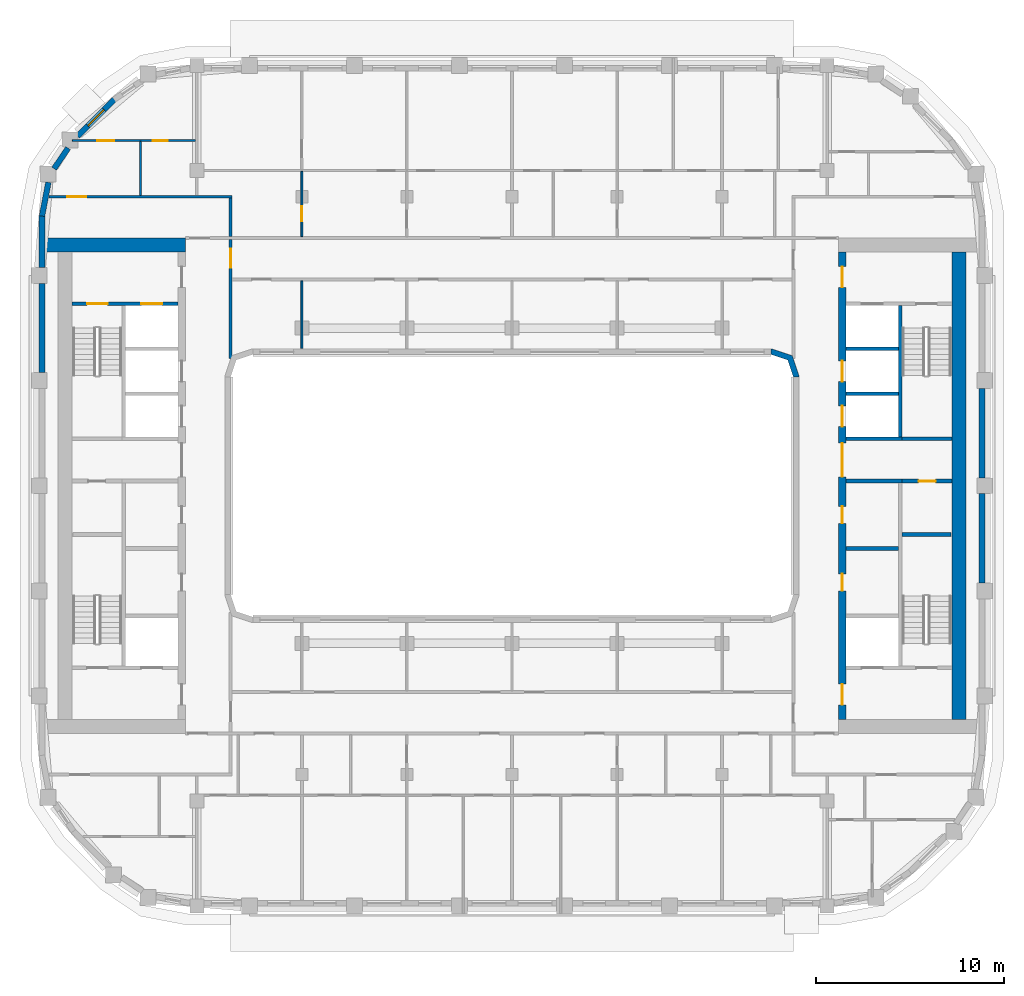
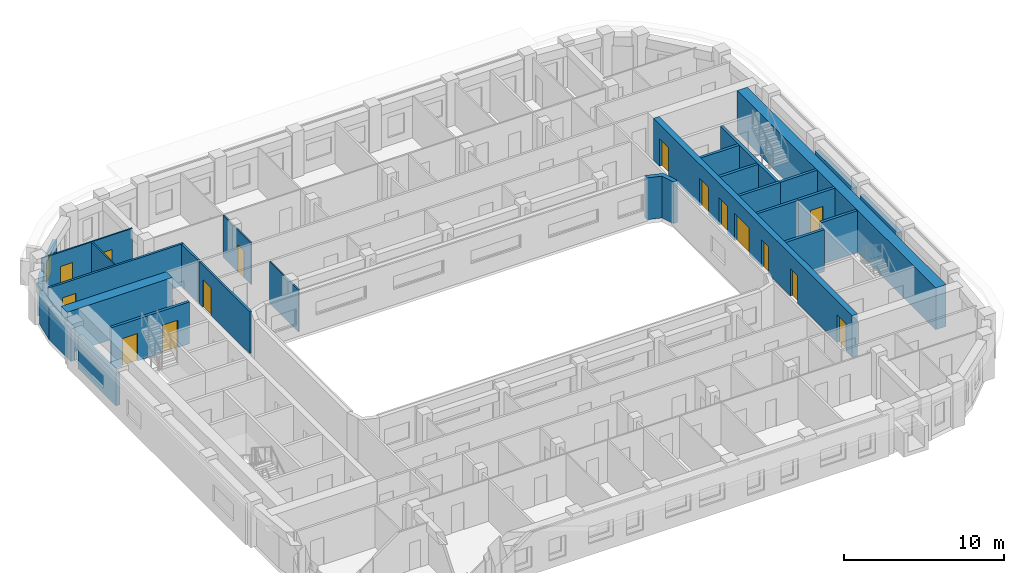
# One storey, part 6 of 21: 28 walls, 15 doors, 1 window, 16 openings.
"""IFC4 building model written with IfcOpenShell, lengths in metres."""

from ifc_helpers import new_model, si_unit, direction, frame, frame_2d, origin, place, context, subcontext, project, spatial, polyline, rectangle, outline, extrude, material, layer, layer_set, type_object, element, fill, save


model = new_model("IFC4")

# Units and contexts
model_context = context("Model", 3, precision=1e-05, world=origin(), true_north=direction((0.0, 1.0)))
body_context = subcontext(model_context, "Body", "Model", "MODEL_VIEW")
ifc_project = project(units=[si_unit("LENGTHUNIT", "METRE"), si_unit("AREAUNIT", "SQUARE_METRE"), si_unit("VOLUMEUNIT", "CUBIC_METRE"), si_unit("PLANEANGLEUNIT", "RADIAN"), si_unit("MASSUNIT", "GRAM", prefix="KILO")], contexts=[model_context])

# Site, building, storey
site_placement = place(None, origin())
site = spatial("IfcSite", under=ifc_project, at=site_placement, CompositionType="ELEMENT")
building_placement = place(site_placement, origin())
building = spatial("IfcBuilding", under=site, at=building_placement, Name="Kiln Ring Residences", CompositionType="ELEMENT")
storey_placement = place(building_placement, frame((0.0, 0.0, 216.89990234375)))
storey = spatial("IfcBuildingStorey", under=building, at=storey_placement, Name="L56", CompositionType="ELEMENT", Elevation=216.89990234375)

# Wall, opening, door
ifc_material_1 = material(Name="Gypsum board on steel studs", Category="steel")
ifc_layer_1 = layer(ifc_material_1, 0.199951171875)
ifc_layer_set_1 = layer_set([ifc_layer_1], Name="CORE-PARTITION-200")
wall_type_1 = type_object("IfcWallType", Name="CORE-PARTITION-200", PredefinedType="PARTITIONING", material=ifc_layer_set_1)
wall_1_placement = place(storey_placement, frame((20.800048828125, 0.25, 0.0), z_axis=(0.0, 0.0, 1.0), x_axis=(1.0, 0.0, 0.0)))
wall_1 = element("IfcWall", 1, at=wall_1_placement, inside=storey, type_object=wall_type_1, Name="Core partition east L56 1", PredefinedType="PARTITIONING", context=body_context, shape_type="SweptSolid", body=[
    extrude(rectangle(XDim=2.64990234375, YDim=0.199951171875, at=frame_2d((1.324951171875, 0.0))), origin(), (0.0, 0.0, 1.0), 3.2001953125),
])
opening_1_placement = place(wall_1_placement, frame((0.875, 0.0, 0.0)))
opening_1 = element("IfcOpeningElement", 2, at=opening_1_placement, cuts=wall_1, Name="Opening L56-CE12", PredefinedType="OPENING", context=body_context, shape_type="SweptSolid", body=[
    extrude(rectangle(XDim=0.89990234375, YDim=2.10009765625, at=frame_2d((0.449951171875, 1.050048828125))), frame((0.0, 0.10986328125, 0.0), z_axis=(0.0, -1.0, 0.0), x_axis=(1.0, 0.0, 0.0)), (0.0, 0.0, 1.0), 0.219970703125),
])
ifc_material_2 = material(Name="Steel door leaf", Category="steel")
door_type_1 = type_object("IfcDoorType", Name="CORE-DOOR-ROOM", OperationType="SINGLE_SWING_LEFT", PredefinedType="DOOR", material=ifc_material_2)
door_1_placement = place(opening_1_placement, origin())
door_1 = element("IfcDoor", 3, at=door_1_placement, inside=storey, type_object=door_type_1, Name="Cleaner's store L56-CE12", OperationType="SINGLE_SWING_LEFT", OverallHeight=2.10009765625, OverallWidth=0.89990234375, PredefinedType="DOOR", context=body_context, shape_type="SweptSolid", body=[
    extrude(rectangle(XDim=0.89990234375, YDim=2.10009765625, at=frame_2d((0.449951171875, 1.050048828125))), frame((0.0, 0.02490234375, 0.0), z_axis=(0.0, -1.0, 0.0), x_axis=(1.0, 0.0, 0.0)), (0.0, 0.0, 1.0), 0.050048828125),
])
fill(opening_1, door_1)

# Walls
wall_2_placement = place(storey_placement, frame((17.800048828125, -3.35009765625, 0.0), z_axis=(0.0, 0.0, 1.0), x_axis=(1.0, 0.0, 0.0)))
element("IfcWall", 4, at=wall_2_placement, inside=storey, type_object=wall_type_1, Name="Core partition east L56 2", PredefinedType="PARTITIONING", context=body_context, shape_type="SweptSolid", body=[
    extrude(rectangle(XDim=2.800048828125, YDim=0.199951171875, at=frame_2d((1.39990234375, 0.0))), origin(), (0.0, 0.0, 1.0), 3.2001953125),
])
ifc_material_3 = material(Name="Gypsum shaft wall system")
ifc_layer_2 = layer(ifc_material_3, 0.199951171875)
ifc_layer_set_2 = layer_set([ifc_layer_2], Name="CORE-SHAFT-WALL-200")
wall_type_2 = type_object("IfcWallType", Name="CORE-SHAFT-WALL-200", PredefinedType="PARTITIONING", material=ifc_layer_set_2)
for number, where, z_axis, x_axis, name in (
    (5, (17.800048828125, 0.25, 0.0), (0.0, 0.0, 1.0), (1.0, 0.0, 0.0), "Core partition east L56 4"),
    (6, (17.800048828125, 2.5, 0.0), (0.0, 0.0, 1.0), (1.0, 0.0, 0.0), "Core partition east L56 5"),
):
    element("IfcWall", number, at=place(storey_placement, frame(where, z_axis=z_axis, x_axis=x_axis)), inside=storey, type_object=wall_type_2, Name=name, PredefinedType="PARTITIONING", context=body_context, shape_type="SweptSolid", body=[
        extrude(rectangle(XDim=3.0, YDim=0.199951171875, at=frame_2d((1.5, 0.0))), origin(), (0.0, 0.0, 1.0), 3.2001953125),
    ])
for number, where, z_axis, x_axis, name in (
    (7, (17.800048828125, 4.89990234375, 0.0), (0.0, 0.0, 1.0), (1.0, 0.0, 0.0), "Core partition east L56 6"),
    (8, (17.800048828125, 7.300048828125, 0.0), (0.0, 0.0, 1.0), (1.0, 0.0, 0.0), "Core partition east L56 7"),
):
    element("IfcWall", number, at=place(storey_placement, frame(where, z_axis=z_axis, x_axis=x_axis)), inside=storey, type_object=wall_type_2, Name=name, PredefinedType="PARTITIONING", context=body_context, shape_type="SweptSolid", body=[
        extrude(rectangle(XDim=2.800048828125, YDim=0.199951171875, at=frame_2d((1.39990234375, 0.0))), origin(), (0.0, 0.0, 1.0), 3.2001953125),
    ])

# Wall, openings, doors
ifc_material_4 = material(Name="Concrete C40/50", Category="concrete")
ifc_layer_3 = layer(ifc_material_4, 0.199951171875)
ifc_layer_set_3 = layer_set([ifc_layer_3], Name="CORE-WALL-RC200")
wall_type_3 = type_object("IfcWallType", Name="CORE-WALL-RC200", PredefinedType="SHEAR", material=ifc_layer_set_3)
wall_3_placement = place(storey_placement, frame((-17.800048828125, 9.699951171875, 0.0), z_axis=(0.0, 0.0, 1.0), x_axis=(-1.0, 0.0, 0.0)))
wall_3 = element("IfcWall", 9, at=wall_3_placement, inside=storey, type_object=wall_type_3, Name="Core wall west L56 9", PredefinedType="SHEAR", context=body_context, shape_type="SweptSolid", body=[
    extrude(rectangle(XDim=5.64990234375, YDim=0.199951171875, at=frame_2d((2.824951171875, 0.0))), origin(), (0.0, 0.0, 1.0), 3.2001953125),
])
opening_2_placement = place(wall_3_placement, frame((0.85009765625, 0.0, 0.0)))
opening_2 = element("IfcOpeningElement", 10, at=opening_2_placement, cuts=wall_3, Name="Opening L56-CW06", PredefinedType="OPENING", context=body_context, shape_type="SweptSolid", body=[
    extrude(rectangle(XDim=1.10009765625, YDim=2.10009765625, at=frame_2d((0.550048828125, 1.050048828125))), frame((0.0, 0.10986328125, 0.0), z_axis=(0.0, -1.0, 0.0), x_axis=(1.0, 0.0, 0.0)), (0.0, 0.0, 1.0), 0.219970703125),
])
opening_3_placement = place(wall_3_placement, frame((3.75, 0.0, 0.0)))
opening_3 = element("IfcOpeningElement", 11, at=opening_3_placement, cuts=wall_3, Name="Opening L56-CW09", PredefinedType="OPENING", context=body_context, shape_type="SweptSolid", body=[
    extrude(rectangle(XDim=1.10009765625, YDim=2.10009765625, at=frame_2d((0.550048828125, 1.050048828125))), frame((0.0, 0.10986328125, 0.0), z_axis=(0.0, -1.0, 0.0), x_axis=(1.0, 0.0, 0.0)), (0.0, 0.0, 1.0), 0.219970703125),
])
ifc_material_5 = material(Name="Steel door leaf", Category="steel")
door_type_2 = type_object("IfcDoorType", Name="CORE-DOOR-LD", OperationType="DOUBLE_DOOR_SLIDING", PredefinedType="DOOR", material=ifc_material_5)
door_2_placement = place(opening_2_placement, origin())
door_2 = element("IfcDoor", 12, at=door_2_placement, inside=storey, type_object=door_type_2, Name="LD W-FF L56-CW06", OperationType="DOUBLE_DOOR_SLIDING", OverallHeight=2.10009765625, OverallWidth=1.10009765625, PredefinedType="DOOR", context=body_context, shape_type="SweptSolid", body=[
    extrude(rectangle(XDim=1.10009765625, YDim=2.10009765625, at=frame_2d((0.550048828125, 1.050048828125))), frame((0.0, 0.02490234375, 0.0), z_axis=(0.0, -1.0, 0.0), x_axis=(1.0, 0.0, 0.0)), (0.0, 0.0, 1.0), 0.050048828125),
])
fill(opening_2, door_2)
ifc_material_6 = material(Name="Steel door leaf", Category="steel")
door_type_3 = type_object("IfcDoorType", Name="CORE-DOOR-STAIR", OperationType="SINGLE_SWING_LEFT", PredefinedType="DOOR", material=ifc_material_6)
door_3_placement = place(opening_3_placement, origin())
door_3 = element("IfcDoor", 13, at=door_3_placement, inside=storey, type_object=door_type_3, Name="Stair W-STN L56-CW09", OperationType="SINGLE_SWING_LEFT", OverallHeight=2.10009765625, OverallWidth=1.10009765625, PredefinedType="DOOR", context=body_context, shape_type="SweptSolid", body=[
    extrude(rectangle(XDim=1.10009765625, YDim=2.10009765625, at=frame_2d((0.550048828125, 1.050048828125))), frame((0.0, 0.02490234375, 0.0), z_axis=(0.0, -1.0, 0.0), x_axis=(1.0, 0.0, 0.0)), (0.0, 0.0, 1.0), 0.050048828125),
])
fill(opening_3, door_3)

# Walls
wall_4_placement = place(storey_placement, frame((20.699951171875, 2.60009765625, 0.0), z_axis=(0.0, 0.0, 1.0), x_axis=(0.0, 1.0, 0.0)))
element("IfcWall", 14, at=wall_4_placement, inside=storey, type_object=wall_type_3, Name="Core wall east L56 1", PredefinedType="SHEAR", context=body_context, shape_type="SweptSolid", body=[
    extrude(rectangle(XDim=7.0, YDim=0.199951171875, at=frame_2d((3.5, 0.0))), origin(), (0.0, 0.0, 1.0), 3.2001953125),
])
wall_5_placement = place(storey_placement, frame((20.800048828125, 2.5, 0.0), z_axis=(0.0, 0.0, 1.0), x_axis=(1.0, 0.0, 0.0)))
element("IfcWall", 15, at=wall_5_placement, inside=storey, type_object=wall_type_3, Name="Core wall east L56 3", PredefinedType="SHEAR", context=body_context, shape_type="SweptSolid", body=[
    extrude(rectangle(XDim=2.64990234375, YDim=0.199951171875, at=frame_2d((1.324951171875, 0.0))), origin(), (0.0, 0.0, 1.0), 3.2001953125),
])
wall_6_placement = place(storey_placement, frame((20.800048828125, -2.60009765625, 0.0), z_axis=(0.0, 0.0, 1.0), x_axis=(1.0, 0.0, 0.0)))
element("IfcWall", 16, at=wall_6_placement, inside=storey, type_object=wall_type_3, Name="Core wall east L56 10", PredefinedType="SHEAR", context=body_context, shape_type="SweptSolid", body=[
    extrude(rectangle(XDim=2.599853515625, YDim=0.199951171875, at=frame_2d((1.2998046875, 0.0))), origin(), (0.0, 0.0, 1.0), 3.2001953125),
])

# Wall, openings, doors
ifc_material_7 = material(Name="Concrete C60/75", Category="concrete")
ifc_layer_4 = layer(ifc_material_7, 0.39990234375)
ifc_layer_set_4 = layer_set([ifc_layer_4], Name="CORE-WALL-RC400")
wall_type_4 = type_object("IfcWallType", Name="CORE-WALL-RC400", PredefinedType="SHEAR", material=ifc_layer_set_4)
wall_7_placement = place(storey_placement, frame((17.60009765625, -12.449951171875, 0.0), z_axis=(0.0, 0.0, 1.0), x_axis=(0.0, 1.0, 0.0)))
wall_7 = element("IfcWall", 17, at=wall_7_placement, inside=storey, type_object=wall_type_4, Name="Core wall east L56 6", PredefinedType="SHEAR", context=body_context, shape_type="SweptSolid", body=[
    extrude(rectangle(XDim=24.89990234375, YDim=0.39990234375, at=frame_2d((12.449951171875, 0.0))), origin(), (0.0, 0.0, 1.0), 3.2001953125),
])
opening_4_placement = place(wall_7_placement, frame((6.85009765625, 0.0, 0.0)))
opening_4 = element("IfcOpeningElement", 18, at=opening_4_placement, cuts=wall_7, Name="Opening L56-CE02", PredefinedType="OPENING", context=body_context, shape_type="SweptSolid", body=[
    extrude(rectangle(XDim=0.89990234375, YDim=2.10009765625, at=frame_2d((0.449951171875, 1.050048828125))), frame((0.0, 0.2099609375, 0.0), z_axis=(0.0, -1.0, 0.0), x_axis=(1.0, 0.0, 0.0)), (0.0, 0.0, 1.0), 0.419921875),
])
opening_5_placement = place(wall_7_placement, frame((10.449951171875, 0.0, 0.0)))
opening_5 = element("IfcOpeningElement", 19, at=opening_5_placement, cuts=wall_7, Name="Opening L56-CE03", PredefinedType="OPENING", context=body_context, shape_type="SweptSolid", body=[
    extrude(rectangle(XDim=0.89990234375, YDim=2.10009765625, at=frame_2d((0.449951171875, 1.050048828125))), frame((0.0, 0.2099609375, 0.0), z_axis=(0.0, -1.0, 0.0), x_axis=(1.0, 0.0, 0.0)), (0.0, 0.0, 1.0), 0.419921875),
])
opening_6_placement = place(wall_7_placement, frame((15.60009765625, 0.0, 0.0)))
opening_6 = element("IfcOpeningElement", 20, at=opening_6_placement, cuts=wall_7, Name="Opening L56-CE04", PredefinedType="OPENING", context=body_context, shape_type="SweptSolid", body=[
    extrude(rectangle(XDim=1.10009765625, YDim=2.10009765625, at=frame_2d((0.550048828125, 1.050048828125))), frame((0.0, 0.2099609375, 0.0), z_axis=(0.0, -1.0, 0.0), x_axis=(1.0, 0.0, 0.0)), (0.0, 0.0, 1.0), 0.419921875),
])
opening_7_placement = place(wall_7_placement, frame((18.0, 0.0, 0.0)))
opening_7 = element("IfcOpeningElement", 21, at=opening_7_placement, cuts=wall_7, Name="Opening L56-CE05", PredefinedType="OPENING", context=body_context, shape_type="SweptSolid", body=[
    extrude(rectangle(XDim=1.10009765625, YDim=2.10009765625, at=frame_2d((0.550048828125, 1.050048828125))), frame((0.0, 0.2099609375, 0.0), z_axis=(0.0, -1.0, 0.0), x_axis=(1.0, 0.0, 0.0)), (0.0, 0.0, 1.0), 0.419921875),
])
opening_8_placement = place(wall_7_placement, frame((23.02490234375, 0.0, 0.0)))
opening_8 = element("IfcOpeningElement", 22, at=opening_8_placement, cuts=wall_7, Name="Opening L56-CE07", PredefinedType="OPENING", context=body_context, shape_type="SweptSolid", body=[
    extrude(rectangle(XDim=1.10009765625, YDim=2.10009765625, at=frame_2d((0.550048828125, 1.050048828125))), frame((0.0, 0.2099609375, 0.0), z_axis=(0.0, -1.0, 0.0), x_axis=(1.0, 0.0, 0.0)), (0.0, 0.0, 1.0), 0.419921875),
])
opening_9_placement = place(wall_7_placement, frame((0.77490234375, 0.0, 0.0)))
opening_9 = element("IfcOpeningElement", 23, at=opening_9_placement, cuts=wall_7, Name="Opening L56-CE08", PredefinedType="OPENING", context=body_context, shape_type="SweptSolid", body=[
    extrude(rectangle(XDim=1.10009765625, YDim=2.10009765625, at=frame_2d((0.550048828125, 1.050048828125))), frame((0.0, 0.2099609375, 0.0), z_axis=(0.0, -1.0, 0.0), x_axis=(1.0, 0.0, 0.0)), (0.0, 0.0, 1.0), 0.419921875),
])
opening_10_placement = place(wall_7_placement, frame((12.925048828125, 0.0, 0.0)))
opening_10 = element("IfcOpeningElement", 24, at=opening_10_placement, cuts=wall_7, Name="Opening L56-CE11", PredefinedType="OPENING", context=body_context, shape_type="SweptSolid", body=[
    extrude(rectangle(XDim=1.800048828125, YDim=2.10009765625, at=frame_2d((0.89990234375, 1.050048828125))), frame((0.0, 0.2099609375, 0.0), z_axis=(0.0, -1.0, 0.0), x_axis=(1.0, 0.0, 0.0)), (0.0, 0.0, 1.0), 0.419921875),
])
door_4_placement = place(opening_6_placement, origin())
door_4 = element("IfcDoor", 25, at=door_4_placement, inside=storey, type_object=door_type_2, Name="LD E-M1 L56-CE04", OperationType="DOUBLE_DOOR_SLIDING", OverallHeight=2.10009765625, OverallWidth=1.10009765625, PredefinedType="DOOR", context=body_context, shape_type="SweptSolid", body=[
    extrude(rectangle(XDim=1.10009765625, YDim=2.10009765625, at=frame_2d((0.550048828125, 1.050048828125))), frame((0.0, 0.02490234375, 0.0), z_axis=(0.0, -1.0, 0.0), x_axis=(1.0, 0.0, 0.0)), (0.0, 0.0, 1.0), 0.050048828125),
])
fill(opening_6, door_4)
door_5_placement = place(opening_7_placement, origin())
door_5 = element("IfcDoor", 26, at=door_5_placement, inside=storey, type_object=door_type_2, Name="LD E-M2 L56-CE05", OperationType="DOUBLE_DOOR_SLIDING", OverallHeight=2.10009765625, OverallWidth=1.10009765625, PredefinedType="DOOR", context=body_context, shape_type="SweptSolid", body=[
    extrude(rectangle(XDim=1.10009765625, YDim=2.10009765625, at=frame_2d((0.550048828125, 1.050048828125))), frame((0.0, 0.02490234375, 0.0), z_axis=(0.0, -1.0, 0.0), x_axis=(1.0, 0.0, 0.0)), (0.0, 0.0, 1.0), 0.050048828125),
])
fill(opening_7, door_5)
ifc_material_8 = material(Name="Steel door leaf", Category="steel")
door_type_4 = type_object("IfcDoorType", Name="CORE-DOOR-LOBBY", OperationType="SINGLE_SWING_LEFT", PredefinedType="DOOR", material=ifc_material_8)
door_6_placement = place(opening_8_placement, origin())
door_6 = element("IfcDoor", 27, at=door_6_placement, inside=storey, type_object=door_type_4, Name="FFL L56-CE07", OperationType="SINGLE_SWING_LEFT", OverallHeight=2.10009765625, OverallWidth=1.10009765625, PredefinedType="DOOR", context=body_context, shape_type="SweptSolid", body=[
    extrude(rectangle(XDim=1.10009765625, YDim=2.10009765625, at=frame_2d((0.550048828125, 1.050048828125))), frame((0.0, 0.02490234375, 0.0), z_axis=(0.0, -1.0, 0.0), x_axis=(1.0, 0.0, 0.0)), (0.0, 0.0, 1.0), 0.050048828125),
])
fill(opening_8, door_6)
door_7_placement = place(opening_9_placement, origin())
door_7 = element("IfcDoor", 28, at=door_7_placement, inside=storey, type_object=door_type_4, Name="SVL L56-CE08", OperationType="SINGLE_SWING_RIGHT", OverallHeight=2.10009765625, OverallWidth=1.10009765625, PredefinedType="DOOR", context=body_context, shape_type="SweptSolid", body=[
    extrude(rectangle(XDim=1.10009765625, YDim=2.10009765625, at=frame_2d((0.550048828125, 1.050048828125))), frame((0.0, 0.02490234375, 0.0), z_axis=(0.0, -1.0, 0.0), x_axis=(1.0, 0.0, 0.0)), (0.0, 0.0, 1.0), 0.050048828125),
])
fill(opening_9, door_7)
ifc_material_9 = material(Name="Steel door leaf", Category="steel")
door_type_5 = type_object("IfcDoorType", Name="CORE-DOOR-PASS", OperationType="DOUBLE_DOOR_SINGLE_SWING", PredefinedType="DOOR", material=ifc_material_9)
door_8_placement = place(opening_10_placement, origin())
door_8 = element("IfcDoor", 29, at=door_8_placement, inside=storey, type_object=door_type_5, Name="Core passage L56-CE11", OperationType="DOUBLE_DOOR_SINGLE_SWING", OverallHeight=2.10009765625, OverallWidth=1.800048828125, PredefinedType="DOOR", context=body_context, shape_type="SweptSolid", body=[
    extrude(rectangle(XDim=1.800048828125, YDim=2.10009765625, at=frame_2d((0.89990234375, 1.050048828125))), frame((0.0, 0.02490234375, 0.0), z_axis=(0.0, -1.0, 0.0), x_axis=(1.0, 0.0, 0.0)), (0.0, 0.0, 1.0), 0.050048828125),
])
fill(opening_10, door_8)
door_9_placement = place(opening_4_placement, origin())
door_9 = element("IfcDoor", 30, at=door_9_placement, inside=storey, type_object=door_type_1, Name="Housekeeping store L56-CE02", OperationType="SINGLE_SWING_LEFT", OverallHeight=2.10009765625, OverallWidth=0.89990234375, PredefinedType="DOOR", context=body_context, shape_type="SweptSolid", body=[
    extrude(rectangle(XDim=0.89990234375, YDim=2.10009765625, at=frame_2d((0.449951171875, 1.050048828125))), frame((0.0, 0.02490234375, 0.0), z_axis=(0.0, -1.0, 0.0), x_axis=(1.0, 0.0, 0.0)), (0.0, 0.0, 1.0), 0.050048828125),
])
fill(opening_4, door_9)
door_10_placement = place(opening_5_placement, origin())
door_10 = element("IfcDoor", 31, at=door_10_placement, inside=storey, type_object=door_type_1, Name="Linen store L56-CE03", OperationType="SINGLE_SWING_RIGHT", OverallHeight=2.10009765625, OverallWidth=0.89990234375, PredefinedType="DOOR", context=body_context, shape_type="SweptSolid", body=[
    extrude(rectangle(XDim=0.89990234375, YDim=2.10009765625, at=frame_2d((0.449951171875, 1.050048828125))), frame((0.0, 0.02490234375, 0.0), z_axis=(0.0, -1.0, 0.0), x_axis=(1.0, 0.0, 0.0)), (0.0, 0.0, 1.0), 0.050048828125),
])
fill(opening_5, door_10)

# Walls
ifc_material_10 = material(Name="Concrete C60/75", Category="concrete")
ifc_layer_5 = layer(ifc_material_10, 0.75)
ifc_layer_set_5 = layer_set([ifc_layer_5], Name="CORE-WALL-RC750")
wall_type_5 = type_object("IfcWallType", Name="CORE-WALL-RC750", PredefinedType="SHEAR", material=ifc_layer_set_5)
wall_8_placement = place(storey_placement, frame((-17.39990234375, 12.824951171875, 0.0), z_axis=(0.0, 0.0, 1.0), x_axis=(-1.0, 0.0, 0.0)))
element("IfcWall", 32, at=wall_8_placement, inside=storey, type_object=wall_type_5, Name="Core wall west L56 4", PredefinedType="SHEAR", context=body_context, shape_type="SweptSolid", body=[
    extrude(rectangle(XDim=7.60009765625, YDim=0.75, at=frame_2d((3.800048828125, 0.0))), origin(), (0.0, 0.0, 1.0), 3.2001953125),
])
wall_9_placement = place(storey_placement, frame((23.824951171875, -12.449951171875, 0.0), z_axis=(0.0, 0.0, 1.0), x_axis=(0.0, 1.0, 0.0)))
element("IfcWall", 33, at=wall_9_placement, inside=storey, type_object=wall_type_5, Name="Core wall east L56 7", PredefinedType="SHEAR", context=body_context, shape_type="SweptSolid", body=[
    extrude(rectangle(XDim=24.89990234375, YDim=0.75, at=frame_2d((12.449951171875, 0.0))), origin(), (0.0, 0.0, 1.0), 3.2001953125),
])
ifc_material_11 = material(Name="Brick masonry, dark clay brick", Category="masonry")
ifc_layer_6 = layer(ifc_material_11, 0.300048828125)
ifc_layer_set_6 = layer_set([ifc_layer_6], Name="EW-300 BRICK WALL")
wall_type_6 = type_object("IfcWallType", Name="EW-300 BRICK WALL", PredefinedType="SOLIDWALL", material=ifc_layer_set_6)
for number, where, z_axis, x_axis, name in (
    (34, (25.050048828125, -5.175048828125, 0.0), (0.0, 0.0, 1.0), (0.0, 1.0, 0.0), "Facade wall L56 18"),
    (35, (25.050048828125, 0.425048828125, 0.0), (0.0, 0.0, 1.0), (0.0, 1.0, 0.0), "Facade wall L56 19"),
):
    element("IfcWall", number, at=place(storey_placement, frame(where, z_axis=z_axis, x_axis=x_axis)), inside=storey, type_object=wall_type_6, Name=name, PredefinedType="SOLIDWALL", context=body_context, shape_type="SweptSolid", body=[
        extrude(rectangle(XDim=4.75, YDim=0.300048828125, at=frame_2d((2.375, 0.0))), origin(), (0.0, 0.0, 1.0), 2.5),
    ])

# Wall, opening, window
wall_10_placement = place(storey_placement, frame((-21.19091796875, 20.596923828125, 0.0), z_axis=(0.0, 0.0, 1.0), x_axis=(-0.707150767798, -0.707062791838, 0.0)))
wall_10 = element("IfcWall", 36, at=wall_10_placement, inside=storey, type_object=wall_type_6, Name="Facade wall L56 36", PredefinedType="SOLIDWALL", context=body_context, shape_type="SweptSolid", body=[
    extrude(rectangle(XDim=2.775146484375, YDim=0.300048828125, at=frame_2d((1.3876953125, 0.0))), origin(), (0.0, 0.0, 1.0), 2.5),
])
opening_11_placement = place(wall_10_placement, frame((0.78759765625, 0.0, 0.60009765625)))
opening_11 = element("IfcOpeningElement", 37, at=opening_11_placement, cuts=wall_10, Name="Opening W1", PredefinedType="OPENING", context=body_context, shape_type="SweptSolid", body=[
    extrude(rectangle(XDim=1.199951171875, YDim=1.550048828125, at=frame_2d((0.60009765625, 0.77490234375))), frame((0.0, 0.159912109375, 0.0), z_axis=(0.0, -1.0, 0.0), x_axis=(1.0, 0.0, 0.0)), (0.0, 0.0, 1.0), 0.320068359375),
])
ifc_material_12 = material(Name="Aluminium frame with double glazing", Category="aluminium")
window_type = type_object("IfcWindowType", Name="WINDOW 1200 x 1550", PartitioningType="SINGLE_PANEL", PredefinedType="WINDOW", material=ifc_material_12)
window_placement = place(opening_11_placement, origin())
window = element("IfcWindow", 38, at=window_placement, inside=storey, type_object=window_type, Name="Window L56 33", OverallHeight=1.550048828125, OverallWidth=1.199951171875, PartitioningType="SINGLE_PANEL", PredefinedType="WINDOW", context=body_context, shape_type="SweptSolid", body=[
    extrude(rectangle(XDim=1.199951171875, YDim=1.550048828125, at=frame_2d((0.60009765625, 0.77490234375))), frame((0.0, 0.030029296875, 0.0), z_axis=(0.0, -1.0, 0.0), x_axis=(1.0, 0.0, 0.0)), (0.0, 0.0, 1.0), 0.06005859375),
])
fill(opening_11, window)

# Walls
wall_11_placement = place(storey_placement, frame((-23.662109375, 17.995849609375, 0.0), z_axis=(0.0, 0.0, 1.0), x_axis=(-0.562149004813, -0.827035970432, 0.0)))
element("IfcWall", 39, at=wall_11_placement, inside=storey, type_object=wall_type_6, Name="Facade wall L56 37", PredefinedType="SOLIDWALL", context=body_context, shape_type="SweptSolid", body=[
    extrude(rectangle(XDim=1.3271484375, YDim=0.300048828125, at=frame_2d((0.66357421875, 0.0))), origin(), (0.0, 0.0, 1.0), 2.5),
])
wall_12_placement = place(storey_placement, frame((-24.70947265625, 16.170654296875, 0.0), z_axis=(0.0, 0.0, 1.0), x_axis=(-0.187442908742, -0.982275499014, 0.0)))
element("IfcWall", 40, at=wall_12_placement, inside=storey, type_object=wall_type_6, Name="Facade wall L56 38", PredefinedType="SOLIDWALL", context=body_context, shape_type="SweptSolid", body=[
    extrude(rectangle(XDim=1.831298828125, YDim=0.300048828125, at=frame_2d((0.91552734375, 0.0))), origin(), (0.0, 0.0, 1.0), 2.5),
])
wall_13_placement = place(storey_placement, frame((-25.050048828125, 14.39990234375, 0.0), z_axis=(0.0, 0.0, 1.0), x_axis=(0.0, -1.0, 0.0)))
element("IfcWall", 41, at=wall_13_placement, inside=storey, type_object=wall_type_6, Name="Facade wall L56 39", PredefinedType="SOLIDWALL", context=body_context, shape_type="SweptSolid", body=[
    extrude(rectangle(XDim=2.77490234375, YDim=0.300048828125, at=frame_2d((1.387451171875, 0.0))), origin(), (0.0, 0.0, 1.0), 2.5),
])
wall_14_placement = place(storey_placement, frame((-25.050048828125, 10.77490234375, 0.0), z_axis=(0.0, 0.0, 1.0), x_axis=(0.0, -1.0, 0.0)))
element("IfcWall", 42, at=wall_14_placement, inside=storey, type_object=wall_type_6, Name="Facade wall L56 40", PredefinedType="SOLIDWALL", context=body_context, shape_type="SweptSolid", body=[
    extrude(rectangle(XDim=4.75, YDim=0.300048828125, at=frame_2d((2.375, 0.0))), origin(), (0.0, 0.0, 1.0), 2.5),
])
wall_15_placement = place(storey_placement, origin())
element("IfcWall", 43, at=wall_15_placement, inside=storey, type_object=wall_type_6, Name="Corner wall L56 2", PredefinedType="SOLIDWALL", context=body_context, shape_type="SweptSolid", body=[
    extrude(outline(polyline([(14.937255859375, 6.937255859375), (13.8486328125, 7.300048828125), (13.800048828125, 7.300048828125), (13.800048828125, 7.0), (14.699951171875, 6.699951171875), (15.0, 5.800048828125), (15.300048828125, 5.800048828125), (15.300048828125, 5.8486328125), (14.937255859375, 6.937255859375)])), origin(), (0.0, 0.0, 1.0), 3.2001953125),
])

# Wall, openings, doors
ifc_material_13 = material(Name="Gypsum board on steel studs", Category="steel")
ifc_layer_7 = layer(ifc_material_13, 0.10009765625)
ifc_layer_set_7 = layer_set([ifc_layer_7], Name="PARTITION-100")
wall_type_7 = type_object("IfcWallType", Name="PARTITION-100", PredefinedType="PARTITIONING", material=ifc_layer_set_7)
wall_16_placement = place(storey_placement, frame((-23.429931640625, 18.39990234375, 0.0), z_axis=(0.0, 0.0, 1.0), x_axis=(1.0, 0.0, 0.0)))
wall_16 = element("IfcWall", 44, at=wall_16_placement, inside=storey, type_object=wall_type_7, Name="Partition 013", PredefinedType="PARTITIONING", context=body_context, shape_type="SweptSolid", body=[
    extrude(rectangle(XDim=6.554931640625, YDim=0.10009765625, at=frame_2d((3.27734375, 0.0))), origin(), (0.0, 0.0, 1.0), 3.2001953125),
])
opening_12_placement = place(wall_16_placement, frame((4.280029296875, 0.0, 0.0)))
opening_12 = element("IfcOpeningElement", 45, at=opening_12_placement, cuts=wall_16, Name="Opening L56-D035", PredefinedType="OPENING", context=body_context, shape_type="SweptSolid", body=[
    extrude(rectangle(XDim=0.800048828125, YDim=2.10009765625, at=frame_2d((0.39990234375, 1.050048828125))), frame((0.0, 0.06005859375, 0.0), z_axis=(0.0, -1.0, 0.0), x_axis=(1.0, 0.0, 0.0)), (0.0, 0.0, 1.0), 0.1201171875),
])
opening_13_placement = place(wall_16_placement, frame((1.330078125, 0.0, 0.0)))
opening_13 = element("IfcOpeningElement", 46, at=opening_13_placement, cuts=wall_16, Name="Opening L56-D036", PredefinedType="OPENING", context=body_context, shape_type="SweptSolid", body=[
    extrude(rectangle(XDim=0.89990234375, YDim=2.10009765625, at=frame_2d((0.449951171875, 1.050048828125))), frame((0.0, 0.06005859375, 0.0), z_axis=(0.0, -1.0, 0.0), x_axis=(1.0, 0.0, 0.0)), (0.0, 0.0, 1.0), 0.1201171875),
])
ifc_material_14 = material(Name="Timber door leaf", Category="wood")
door_type_6 = type_object("IfcDoorType", Name="FLAT-DOOR-800-PL", OperationType="SINGLE_SWING_LEFT", PredefinedType="DOOR", material=ifc_material_14)
door_11_placement = place(opening_12_placement, origin())
door_11 = element("IfcDoor", 47, at=door_11_placement, inside=storey, type_object=door_type_6, Name="Door L56-D035", OperationType="SINGLE_SWING_LEFT", OverallHeight=2.10009765625, OverallWidth=0.800048828125, PredefinedType="DOOR", context=body_context, shape_type="SweptSolid", body=[
    extrude(rectangle(XDim=0.800048828125, YDim=2.10009765625, at=frame_2d((0.39990234375, 1.050048828125))), frame((0.0, 0.02490234375, 0.0), z_axis=(0.0, -1.0, 0.0), x_axis=(1.0, 0.0, 0.0)), (0.0, 0.0, 1.0), 0.050048828125),
])
fill(opening_12, door_11)
ifc_material_15 = material(Name="Timber door leaf", Category="wood")
door_type_7 = type_object("IfcDoorType", Name="FLAT-DOOR-900-PL", OperationType="SINGLE_SWING_LEFT", PredefinedType="DOOR", material=ifc_material_15)
door_12_placement = place(opening_13_placement, origin())
door_12 = element("IfcDoor", 48, at=door_12_placement, inside=storey, type_object=door_type_7, Name="Door L56-D036", OperationType="SINGLE_SWING_RIGHT", OverallHeight=2.10009765625, OverallWidth=0.89990234375, PredefinedType="DOOR", context=body_context, shape_type="SweptSolid", body=[
    extrude(rectangle(XDim=0.89990234375, YDim=2.10009765625, at=frame_2d((0.449951171875, 1.050048828125))), frame((0.0, 0.02490234375, 0.0), z_axis=(0.0, -1.0, 0.0), x_axis=(1.0, 0.0, 0.0)), (0.0, 0.0, 1.0), 0.050048828125),
])
fill(opening_13, door_12)

# Walls
wall_17_placement = place(storey_placement, frame((-19.800048828125, 15.47509765625, 0.0), z_axis=(0.0, 0.0, 1.0), x_axis=(0.0, 1.0, 0.0)))
element("IfcWall", 49, at=wall_17_placement, inside=storey, type_object=wall_type_7, Name="Partition 014", PredefinedType="PARTITIONING", context=body_context, shape_type="SweptSolid", body=[
    extrude(rectangle(XDim=2.875, YDim=0.10009765625, at=frame_2d((1.4375, 0.0))), origin(), (0.0, 0.0, 1.0), 3.2001953125),
])
wall_18_placement = place(storey_placement, frame((-11.199951171875, 7.320068359375, 0.0), z_axis=(0.0, 0.0, 1.0), x_axis=(0.0, 1.0, 0.0)))
element("IfcWall", 50, at=wall_18_placement, inside=storey, type_object=wall_type_7, Name="Partition 024", PredefinedType="PARTITIONING", context=body_context, shape_type="SweptSolid", body=[
    extrude(rectangle(XDim=3.60498046875, YDim=0.10009765625, at=frame_2d((1.802490234375, 0.0))), origin(), (0.0, 0.0, 1.0), 3.2001953125),
])

# Wall, opening, door
wall_19_placement = place(storey_placement, frame((-11.199951171875, 13.27490234375, 0.0), z_axis=(0.0, 0.0, 1.0), x_axis=(0.0, 1.0, 0.0)))
wall_19 = element("IfcWall", 51, at=wall_19_placement, inside=storey, type_object=wall_type_7, Name="Partition 025", PredefinedType="PARTITIONING", context=body_context, shape_type="SweptSolid", body=[
    extrude(rectangle(XDim=3.47509765625, YDim=0.10009765625, at=frame_2d((1.737548828125, 0.0))), origin(), (0.0, 0.0, 1.0), 3.2001953125),
])
opening_14_placement = place(wall_19_placement, frame((0.824951171875, 0.0, 0.0)))
opening_14 = element("IfcOpeningElement", 52, at=opening_14_placement, cuts=wall_19, Name="Opening L56-D017", PredefinedType="OPENING", context=body_context, shape_type="SweptSolid", body=[
    extrude(rectangle(XDim=0.800048828125, YDim=2.10009765625, at=frame_2d((0.39990234375, 1.050048828125))), frame((0.0, 0.06005859375, 0.0), z_axis=(0.0, -1.0, 0.0), x_axis=(1.0, 0.0, 0.0)), (0.0, 0.0, 1.0), 0.1201171875),
])
door_13_placement = place(opening_14_placement, origin())
door_13 = element("IfcDoor", 53, at=door_13_placement, inside=storey, type_object=door_type_6, Name="Door L56-D017", OperationType="SINGLE_SWING_RIGHT", OverallHeight=2.10009765625, OverallWidth=0.800048828125, PredefinedType="DOOR", context=body_context, shape_type="SweptSolid", body=[
    extrude(rectangle(XDim=0.800048828125, YDim=2.10009765625, at=frame_2d((0.39990234375, 1.050048828125))), frame((0.0, 0.02490234375, 0.0), z_axis=(0.0, -1.0, 0.0), x_axis=(1.0, 0.0, 0.0)), (0.0, 0.0, 1.0), 0.050048828125),
])
fill(opening_14, door_13)

ifc_material_16 = material(Name="Brick masonry partition", Category="masonry")
ifc_layer_8 = layer(ifc_material_16, 0.14990234375)
ifc_layer_set_8 = layer_set([ifc_layer_8], Name="PARTITION-150-ei60")
wall_type_8 = type_object("IfcWallType", Name="PARTITION-150-ei60", PredefinedType="PARTITIONING", material=ifc_layer_set_8)
wall_20_placement = place(storey_placement, frame((-24.683837890625, 15.39990234375, 0.0), z_axis=(0.0, 0.0, 1.0), x_axis=(1.0, 0.0, 0.0)))
wall_20 = element("IfcWall", 54, at=wall_20_placement, inside=storey, type_object=wall_type_8, Name="Partition 009", PredefinedType="PARTITIONING", context=body_context, shape_type="SweptSolid", body=[
    extrude(rectangle(XDim=9.7587890625, YDim=0.14990234375, at=frame_2d((4.87939453125, 0.0))), origin(), (0.0, 0.0, 1.0), 3.2001953125),
])
opening_15_placement = place(wall_20_placement, frame((0.98388671875, 0.0, 0.0)))
opening_15 = element("IfcOpeningElement", 55, at=opening_15_placement, cuts=wall_20, Name="Opening L56-D034", PredefinedType="OPENING", context=body_context, shape_type="SweptSolid", body=[
    extrude(rectangle(XDim=1.0, YDim=2.10009765625, at=frame_2d((0.5, 1.050048828125))), frame((0.0, 0.0849609375, 0.0), z_axis=(0.0, -1.0, 0.0), x_axis=(1.0, 0.0, 0.0)), (0.0, 0.0, 1.0), 0.169921875),
])
ifc_material_17 = material(Name="Steel faced fire door leaf", Category="steel")
door_type_8 = type_object("IfcDoorType", Name="FLAT-DOOR-1000-FR", OperationType="SINGLE_SWING_LEFT", PredefinedType="DOOR", material=ifc_material_17)
door_14_placement = place(opening_15_placement, origin())
door_14 = element("IfcDoor", 56, at=door_14_placement, inside=storey, type_object=door_type_8, Name="Door L56-D034", OperationType="SINGLE_SWING_RIGHT", OverallHeight=2.10009765625, OverallWidth=1.0, PredefinedType="DOOR", context=body_context, shape_type="SweptSolid", body=[
    extrude(rectangle(XDim=1.0, YDim=2.10009765625, at=frame_2d((0.5, 1.050048828125))), frame((0.0, 0.02490234375, 0.0), z_axis=(0.0, -1.0, 0.0), x_axis=(1.0, 0.0, 0.0)), (0.0, 0.0, 1.0), 0.050048828125),
])
fill(opening_15, door_14)

wall_21_placement = place(storey_placement, frame((-15.0, 6.768798828125, 0.0), z_axis=(0.0, 0.0, 1.0), x_axis=(0.0, 1.0, 0.0)))
wall_21 = element("IfcWall", 57, at=wall_21_placement, inside=storey, type_object=wall_type_8, Name="Partition 020", PredefinedType="PARTITIONING", context=body_context, shape_type="SweptSolid", body=[
    extrude(rectangle(XDim=6.356201171875, YDim=0.14990234375, at=frame_2d((3.17822265625, 0.0))), origin(), (0.0, 0.0, 1.0), 3.2001953125),
])
opening_16_placement = place(wall_21_placement, frame((4.860107421875, 0.0, 0.0)))
opening_16 = element("IfcOpeningElement", 58, at=opening_16_placement, cuts=wall_21, Name="Opening L56-D001", PredefinedType="OPENING", context=body_context, shape_type="SweptSolid", body=[
    extrude(rectangle(XDim=1.0, YDim=2.10009765625, at=frame_2d((0.5, 1.050048828125))), frame((0.0, 0.0849609375, 0.0), z_axis=(0.0, -1.0, 0.0), x_axis=(1.0, 0.0, 0.0)), (0.0, 0.0, 1.0), 0.169921875),
])
door_15_placement = place(opening_16_placement, origin())
door_15 = element("IfcDoor", 59, at=door_15_placement, inside=storey, type_object=door_type_8, Name="Door L56-D001", OperationType="SINGLE_SWING_RIGHT", OverallHeight=2.10009765625, OverallWidth=1.0, PredefinedType="DOOR", context=body_context, shape_type="SweptSolid", body=[
    extrude(rectangle(XDim=1.0, YDim=2.10009765625, at=frame_2d((0.5, 1.050048828125))), frame((0.0, 0.02490234375, 0.0), z_axis=(0.0, -1.0, 0.0), x_axis=(1.0, 0.0, 0.0)), (0.0, 0.0, 1.0), 0.050048828125),
])
fill(opening_16, door_15)

# Wall
wall_22_placement = place(storey_placement, frame((-15.0, 13.27490234375, 0.0), z_axis=(0.0, 0.0, 1.0), x_axis=(0.0, 1.0, 0.0)))
element("IfcWall", 60, at=wall_22_placement, inside=storey, type_object=wall_type_8, Name="Partition 021", PredefinedType="PARTITIONING", context=body_context, shape_type="SweptSolid", body=[
    extrude(rectangle(XDim=2.050048828125, YDim=0.14990234375, at=frame_2d((1.02490234375, 0.0))), origin(), (0.0, 0.0, 1.0), 3.2001953125),
])

save(model, "model.ifc")
